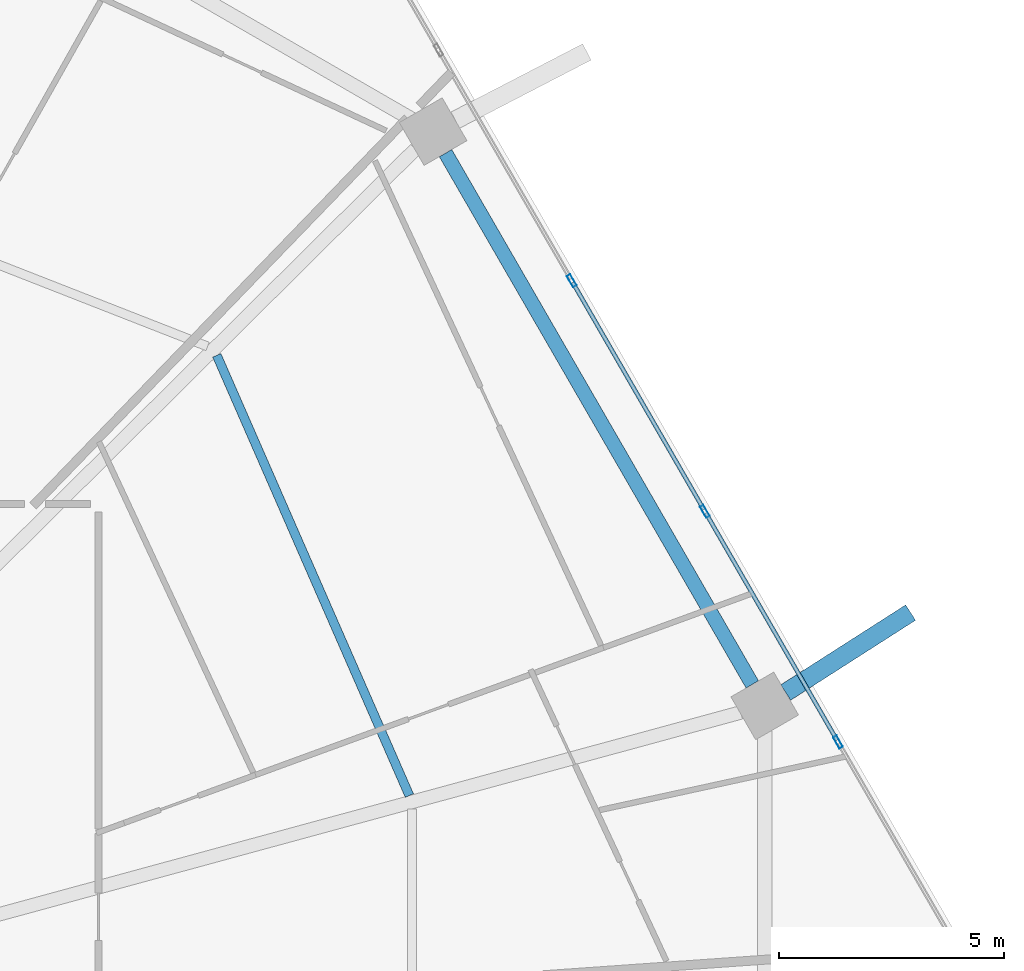
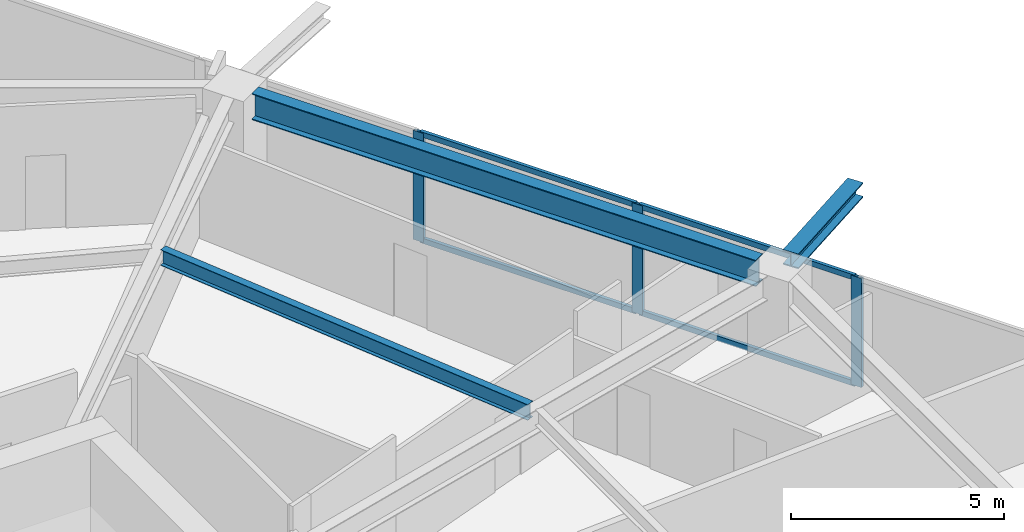
# One storey, part 18 of 33: 7 members, 3 beams, 1 element without a shape of its own.
"""IFC4 building model written with IfcOpenShell, lengths in metres."""

from ifc_helpers import new_model, si_unit, direction, frame, origin, origin_2d, place, context, subcontext, project, spatial, hollow_rectangle, i_section, extrude, material, material_profile, profile_set, type_object, element, aggregate, save


model = new_model("IFC4")

# Units and contexts
model_context = context("Model", 3, precision=1e-05, world=origin(), true_north=direction((0.0, 1.0)))
body_context = subcontext(model_context, "Body", "Model", "MODEL_VIEW")
ifc_project = project(units=[si_unit("LENGTHUNIT", "METRE"), si_unit("AREAUNIT", "SQUARE_METRE"), si_unit("VOLUMEUNIT", "CUBIC_METRE"), si_unit("PLANEANGLEUNIT", "RADIAN"), si_unit("MASSUNIT", "GRAM", prefix="KILO")], contexts=[model_context])

# Site, building, storey
site_placement = place(None, origin())
site = spatial("IfcSite", under=ifc_project, at=site_placement, CompositionType="ELEMENT")
building_placement = place(site_placement, origin())
building = spatial("IfcBuilding", under=site, at=building_placement, Name="Zuhravey Tower", CompositionType="ELEMENT")
storey_placement = place(building_placement, frame((0.0, 0.0, 96.199951171875)))
storey = spatial("IfcBuildingStorey", under=building, at=storey_placement, Name="L23", CompositionType="ELEMENT", Elevation=96.199951171875)

# Curtain wall, members
ifc_material_1 = material(Name="Thermally broken anodised aluminium", Category="aluminium")
curtain_wall_type = type_object("IfcCurtainWallType", Name="Zone 1-2 Residential Curtain Wall CW3", PredefinedType="NOTDEFINED", material=ifc_material_1)
curtain_wall_placement = place(storey_placement, origin())
curtain_wall = element("IfcCurtainWall", 1, at=curtain_wall_placement, inside=storey, type_object=curtain_wall_type, Name="L23 CW3 CW-L23-F1-1", PredefinedType="NOTDEFINED")
ifc_material_2 = material(Name="Anodised aluminium", Category="aluminium")
ifc_material_profile_1 = material_profile(ifc_material_2, hollow_rectangle(XDim=0.090087890625, YDim=0.284912109375, WallThickness=0.0048828125, at=origin_2d()), Name="ALU-RHS-90x285x5")
ifc_profile_set_1 = profile_set([ifc_material_profile_1], Name="Anodised aluminium")
member_type_1 = type_object("IfcMemberType", Name="Curtain-Wall Mullion 90x180", PredefinedType="MULLION", material=ifc_profile_set_1)
member_1_placement = place(storey_placement, frame((59.598876953125, 49.04248046875, 0.0), z_axis=(0.0, 0.0, 1.0), x_axis=(0.86602552265, 0.499999794119, 0.0)))
member_1 = element("IfcMember", 2, at=member_1_placement, type_object=member_type_1, Name="CW3 mullion 3", PredefinedType="MULLION", context=body_context, shape_type="SweptSolid", body=[
    extrude(hollow_rectangle(XDim=0.090087890625, YDim=0.284912109375, WallThickness=0.0048828125, at=origin_2d()), origin(), (0.0, 0.0, 1.0), 3.1220703125),
])
member_2_placement = place(storey_placement, frame((62.55859375, 43.916015625, 0.0), z_axis=(0.0, 0.0, 1.0), x_axis=(0.86602552265, 0.499999794119, 0.0)))
member_2 = element("IfcMember", 3, at=member_2_placement, type_object=member_type_1, Name="CW3 mullion 4", PredefinedType="MULLION", context=body_context, shape_type="SweptSolid", body=[
    extrude(hollow_rectangle(XDim=0.090087890625, YDim=0.284912109375, WallThickness=0.0048828125, at=origin_2d()), origin(), (0.0, 0.0, 1.0), 3.1220703125),
])
member_3_placement = place(storey_placement, frame((65.5185546875, 38.789306640625, 0.0), z_axis=(0.0, 0.0, 1.0), x_axis=(0.86602552265, 0.499999794119, 0.0)))
member_3 = element("IfcMember", 4, at=member_3_placement, type_object=member_type_1, Name="CW3 mullion 5", PredefinedType="MULLION", context=body_context, shape_type="SweptSolid", body=[
    extrude(hollow_rectangle(XDim=0.090087890625, YDim=0.284912109375, WallThickness=0.0048828125, at=origin_2d()), origin(), (0.0, 0.0, 1.0), 3.1220703125),
])
ifc_material_profile_2 = material_profile(ifc_material_2, hollow_rectangle(XDim=0.090087890625, YDim=0.14990234375, WallThickness=0.0048828125, at=origin_2d()), Name="ALU-RHS-90x150x5")
ifc_profile_set_2 = profile_set([ifc_material_profile_2], Name="Anodised aluminium")
member_type_2 = type_object("IfcMemberType", Name="Curtain-Wall Transom 90x150", PredefinedType="USERDEFINED", material=ifc_profile_set_2)
member_4_placement = place(storey_placement, frame((59.621337890625, 49.003662109375, 0.045166015625), z_axis=(0.499981042766, -0.866036348472, 0.0), x_axis=(0.866036348472, 0.499981042766, 0.0)))
member_4 = element("IfcMember", 5, at=member_4_placement, type_object=member_type_2, Name="CW3 transom 3.1", ObjectType="TRANSOM", PredefinedType="USERDEFINED", context=body_context, shape_type="SweptSolid", body=[
    extrude(hollow_rectangle(XDim=0.090087890625, YDim=0.14990234375, WallThickness=0.0048828125, at=origin_2d()), origin(), (0.0, 0.0, 1.0), 5.829833984375),
])
member_5_placement = place(storey_placement, frame((59.621337890625, 49.003662109375, 3.0771484375), z_axis=(0.499981042766, -0.866036348472, 0.0), x_axis=(0.866036348472, 0.499981042766, 0.0)))
member_5 = element("IfcMember", 6, at=member_5_placement, type_object=member_type_2, Name="CW3 transom 3.2", ObjectType="TRANSOM", PredefinedType="USERDEFINED", context=body_context, shape_type="SweptSolid", body=[
    extrude(hollow_rectangle(XDim=0.090087890625, YDim=0.14990234375, WallThickness=0.0048828125, at=origin_2d()), origin(), (0.0, 0.0, 1.0), 5.829833984375),
])
member_6_placement = place(storey_placement, frame((62.581298828125, 43.876953125, 0.045166015625), z_axis=(0.499981042766, -0.866036348472, 0.0), x_axis=(0.866036348472, 0.499981042766, 0.0)))
member_6 = element("IfcMember", 7, at=member_6_placement, type_object=member_type_2, Name="CW3 transom 4.1", ObjectType="TRANSOM", PredefinedType="USERDEFINED", context=body_context, shape_type="SweptSolid", body=[
    extrude(hollow_rectangle(XDim=0.090087890625, YDim=0.14990234375, WallThickness=0.0048828125, at=origin_2d()), origin(), (0.0, 0.0, 1.0), 5.829833984375),
])
member_7_placement = place(storey_placement, frame((62.581298828125, 43.876953125, 3.0771484375), z_axis=(0.499981042766, -0.866036348472, 0.0), x_axis=(0.866036348472, 0.499981042766, 0.0)))
member_7 = element("IfcMember", 8, at=member_7_placement, type_object=member_type_2, Name="CW3 transom 4.2", ObjectType="TRANSOM", PredefinedType="USERDEFINED", context=body_context, shape_type="SweptSolid", body=[
    extrude(hollow_rectangle(XDim=0.090087890625, YDim=0.14990234375, WallThickness=0.0048828125, at=origin_2d()), origin(), (0.0, 0.0, 1.0), 5.829833984375),
])
aggregate(curtain_wall, [member_1, member_2, member_3, member_4, member_5, member_6, member_7])

# Beams
ifc_material_3 = material(Name="Steel SM460", Category="steel")
ifc_material_profile_3 = material_profile(ifc_material_3, i_section(OverallWidth=0.406982421875, OverallDepth=0.427978515625, WebThickness=0.02001953125, FlangeThickness=0.034912109375, at=origin_2d()), Name="H-428x407x20x35")
ifc_profile_set_3 = profile_set([ifc_material_profile_3], Name="Steel SM460")
beam_type_1 = type_object("IfcBeamType", Name="Exoskeleton Node Tie Beam H428x407", PredefinedType="BEAM", material=ifc_profile_set_3)
beam_1_placement = place(storey_placement, frame((64.356201171875, 39.890380859375, 3.3359375), z_axis=(0.842334647806, 0.538954859989, 0.0), x_axis=(-0.538954859989, 0.842334647806, 0.0)))
element("IfcBeam", 9, at=beam_1_placement, inside=storey, type_object=beam_type_1, Name="L23 Exoskeleton Node Tie NT1-01", PredefinedType="BEAM", context=body_context, shape_type="SweptSolid", body=[
    extrude(i_section(OverallWidth=0.406982421875, OverallDepth=0.427978515625, WebThickness=0.02001953125, FlangeThickness=0.034912109375, at=origin_2d()), origin(), (0.0, 0.0, 1.0), 3.294677734375),
])
ifc_material_4 = material(Name="Steel SM355", Category="steel")
ifc_material_profile_4 = material_profile(ifc_material_4, i_section(OverallWidth=0.320068359375, OverallDepth=0.75, WebThickness=0.013916015625, FlangeThickness=0.02490234375, at=origin_2d()), Name="H-750x320x14x25")
ifc_profile_set_4 = profile_set([ifc_material_profile_4], Name="Steel SM355")
beam_type_2 = type_object("IfcBeamType", Name="Perimeter Ring Beam H750x320", PredefinedType="BEAM", material=ifc_profile_set_4)
beam_2_placement = place(storey_placement, frame((63.612548828125, 40.070556640625, 3.175048828125), z_axis=(-0.500008177929, 0.866020682204, 0.0), x_axis=(-0.866020682204, -0.500008177929, 0.0)))
element("IfcBeam", 10, at=beam_2_placement, inside=storey, type_object=beam_type_2, Name="L23 PB1 BM-L23-PB-01", PredefinedType="BEAM", context=body_context, shape_type="SweptSolid", body=[
    extrude(i_section(OverallWidth=0.320068359375, OverallDepth=0.75, WebThickness=0.013916015625, FlangeThickness=0.02490234375, at=origin_2d()), origin(), (0.0, 0.0, 1.0), 13.634033203125),
])
ifc_material_profile_5 = material_profile(ifc_material_4, i_section(OverallWidth=0.199951171875, OverallDepth=0.449951171875, WebThickness=0.009033203125, FlangeThickness=0.013916015625, at=origin_2d()), Name="H-450x200x9x14")
ifc_profile_set_5 = profile_set([ifc_material_profile_5], Name="Steel SM355")
beam_type_3 = type_object("IfcBeamType", Name="Secondary Floor Joist H450x200", PredefinedType="JOIST", material=ifc_profile_set_5)
beam_3_placement = place(storey_placement, frame((55.99072265625, 37.599609375, 3.324951171875), z_axis=(-0.400786454617, 0.916171500209, 0.0), x_axis=(-0.916171500209, -0.400786454617, 0.0)))
element("IfcBeam", 11, at=beam_3_placement, inside=storey, type_object=beam_type_3, Name="L23 SJ1 BM-L23-SJ-01-1", PredefinedType="JOIST", context=body_context, shape_type="SweptSolid", body=[
    extrude(i_section(OverallWidth=0.199951171875, OverallDepth=0.449951171875, WebThickness=0.009033203125, FlangeThickness=0.013916015625, at=origin_2d()), origin(), (0.0, 0.0, 1.0), 10.6796875),
])

save(model, "model.ifc")
